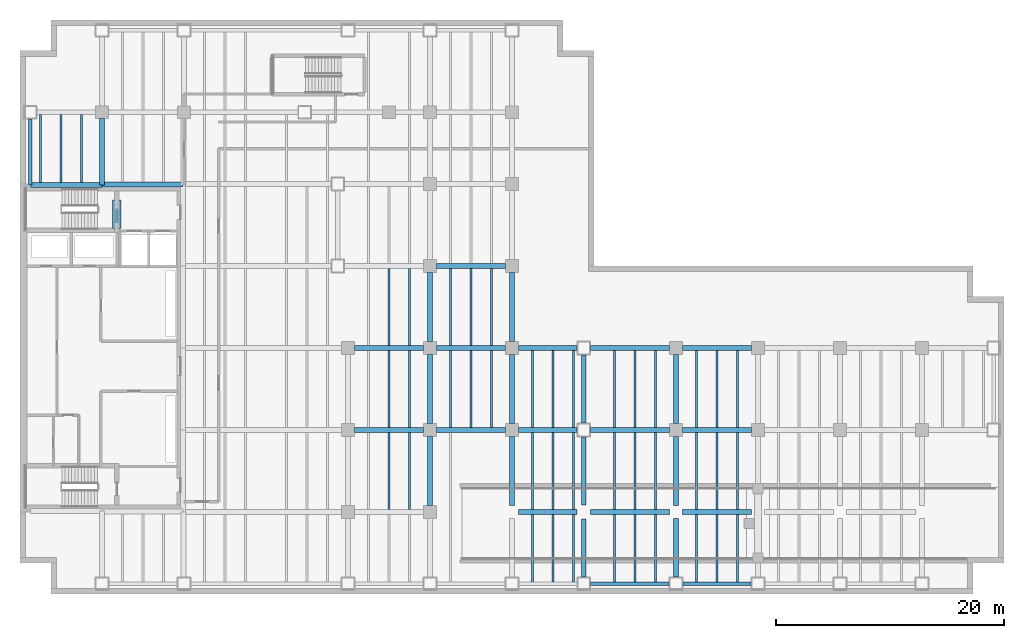
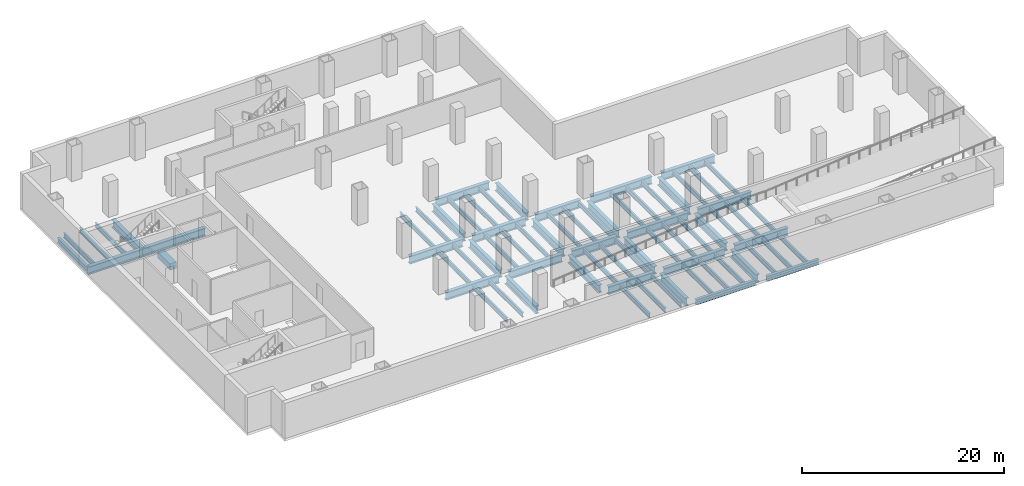
# One storey, part 2 of 11: 75 beams.
"""IFC4 building model written with IfcOpenShell, lengths in metres."""

from ifc_helpers import new_model, si_unit, direction, frame, origin, origin_2d, place, context, subcontext, project, spatial, rectangle, i_section, extrude, material, material_profile, profile_set, type_object, element, save


model = new_model("IFC4")

# Units and contexts
model_context = context("Model", 3, precision=1e-05, world=origin(), true_north=direction((0.0, 1.0)))
body_context = subcontext(model_context, "Body", "Model", "MODEL_VIEW")
ifc_project = project(units=[si_unit("LENGTHUNIT", "METRE"), si_unit("AREAUNIT", "SQUARE_METRE"), si_unit("VOLUMEUNIT", "CUBIC_METRE"), si_unit("PLANEANGLEUNIT", "RADIAN"), si_unit("MASSUNIT", "GRAM", prefix="KILO")], contexts=[model_context])

# Site, building, storey
site_placement = place(None, origin())
site = spatial("IfcSite", under=ifc_project, at=site_placement, CompositionType="ELEMENT")
building_placement = place(site_placement, origin())
building = spatial("IfcBuilding", under=site, at=building_placement, Name="Cobrela Telecom Tower", CompositionType="ELEMENT")
storey_placement = place(building_placement, frame((0.0, 0.0, -4.550048828125)))
storey = spatial("IfcBuildingStorey", under=building, at=storey_placement, Name="B1", CompositionType="ELEMENT", Elevation=-4.550048828125)

# Beams
ifc_material_1 = material(Name="Concrete C40/50", Category="concrete")
ifc_material_profile_1 = material_profile(ifc_material_1, rectangle(XDim=0.75, YDim=0.75, at=origin_2d()), Name="RC 750x750")
ifc_profile_set_1 = profile_set([ifc_material_profile_1], Name="Concrete C40/50")
beam_type_1 = type_object("IfcBeamType", Name="BM-COUP-RC", PredefinedType="LINTEL", material=ifc_profile_set_1)
beam_1_placement = place(storey_placement, frame((8.5, 32.10009765625, -0.64990234375), z_axis=(0.0, 1.0, 0.0), x_axis=(-1.0, 0.0, 0.0)))
element("IfcBeam", 1, at=beam_1_placement, inside=storey, type_object=beam_type_1, Name="B1 Core Coupling Lintel Beam", PredefinedType="LINTEL", context=body_context, shape_type="SweptSolid", body=[
    extrude(rectangle(XDim=0.75, YDim=0.75, at=origin_2d()), origin(), (0.0, 0.0, 1.0), 2.5),
])
ifc_material_2 = material(Name="Steel ASTM A992 Grade 50", Category="steel")
ifc_material_profile_2 = material_profile(ifc_material_2, i_section(OverallWidth=0.424072265625, OverallDepth=0.947021484375, WebThickness=0.02392578125, FlangeThickness=0.042724609375, FilletRadius=0.02392578125, at=origin_2d()), Name="W36X302")
ifc_profile_set_2 = profile_set([ifc_material_profile_2], Name="Steel ASTM A992 Grade 50")
beam_type_2 = type_object("IfcBeamType", Name="BM-GIRD-01", PredefinedType="USERDEFINED", material=ifc_profile_set_2)
beam_2_placement = place(storey_placement, frame((43.7548828125, 7.199951171875, -0.7734375), z_axis=(1.0, 0.0, 0.0), x_axis=(0.0, 1.0, 0.0)))
element("IfcBeam", 2, at=beam_2_placement, inside=storey, type_object=beam_type_2, Name="B1 Primary Girder X14", ObjectType="GIRDER", PredefinedType="USERDEFINED", context=body_context, shape_type="SweptSolid", body=[
    extrude(i_section(OverallWidth=0.424072265625, OverallDepth=0.947021484375, WebThickness=0.02392578125, FlangeThickness=0.042724609375, FilletRadius=0.02392578125, at=origin_2d()), origin(), (0.0, 0.0, 1.0), 5.14013671875),
])
beam_3_placement = place(storey_placement, frame((50.10498046875, 7.199951171875, -0.7734375), z_axis=(1.0, 0.0, 0.0), x_axis=(0.0, 1.0, 0.0)))
element("IfcBeam", 3, at=beam_3_placement, inside=storey, type_object=beam_type_2, Name="B1 Primary Girder X15", ObjectType="GIRDER", PredefinedType="USERDEFINED", context=body_context, shape_type="SweptSolid", body=[
    extrude(i_section(OverallWidth=0.424072265625, OverallDepth=0.947021484375, WebThickness=0.02392578125, FlangeThickness=0.042724609375, FilletRadius=0.02392578125, at=origin_2d()), origin(), (0.0, 0.0, 1.0), 6.93994140625),
])
for number, where, z_axis, x_axis, name in (
    (4, (58.155029296875, 7.199951171875, -0.7734375), (1.0, 0.0, 0.0), (0.0, 1.0, 0.0), "B1 Primary Girder X16"),
    (5, (29.35498046875, 14.39990234375, -0.7734375), (1.0, 0.0, 0.0), (0.0, 1.0, 0.0), "B1 Primary Girder X20"),
    (6, (36.554931640625, 14.39990234375, -0.7734375), (1.0, 0.0, 0.0), (0.0, 1.0, 0.0), "B1 Primary Girder X21"),
):
    element("IfcBeam", number, at=place(storey_placement, frame(where, z_axis=z_axis, x_axis=x_axis)), inside=storey, type_object=beam_type_2, Name=name, ObjectType="GIRDER", PredefinedType="USERDEFINED", context=body_context, shape_type="SweptSolid", body=[
        extrude(i_section(OverallWidth=0.424072265625, OverallDepth=0.947021484375, WebThickness=0.02392578125, FlangeThickness=0.042724609375, FilletRadius=0.02392578125, at=origin_2d()), origin(), (0.0, 0.0, 1.0), 6.090087890625),
    ])
beam_4_placement = place(storey_placement, frame((43.7548828125, 14.39990234375, -0.7734375), z_axis=(1.0, 0.0, 0.0), x_axis=(0.0, 1.0, 0.0)))
element("IfcBeam", 7, at=beam_4_placement, inside=storey, type_object=beam_type_2, Name="B1 Primary Girder X22", ObjectType="GIRDER", PredefinedType="USERDEFINED", context=body_context, shape_type="SweptSolid", body=[
    extrude(i_section(OverallWidth=0.424072265625, OverallDepth=0.947021484375, WebThickness=0.02392578125, FlangeThickness=0.042724609375, FilletRadius=0.02392578125, at=origin_2d()), origin(), (0.0, 0.0, 1.0), 5.14013671875),
])
beam_5_placement = place(storey_placement, frame((50.10498046875, 14.39990234375, -0.7734375), z_axis=(1.0, 0.0, 0.0), x_axis=(0.0, 1.0, 0.0)))
element("IfcBeam", 8, at=beam_5_placement, inside=storey, type_object=beam_type_2, Name="B1 Primary Girder X23", ObjectType="GIRDER", PredefinedType="USERDEFINED", context=body_context, shape_type="SweptSolid", body=[
    extrude(i_section(OverallWidth=0.424072265625, OverallDepth=0.947021484375, WebThickness=0.02392578125, FlangeThickness=0.042724609375, FilletRadius=0.02392578125, at=origin_2d()), origin(), (0.0, 0.0, 1.0), 6.93994140625),
])
for number, where, z_axis, x_axis, name in (
    (9, (58.155029296875, 14.39990234375, -0.7734375), (1.0, 0.0, 0.0), (0.0, 1.0, 0.0), "B1 Primary Girder X24"),
    (10, (29.35498046875, 21.60009765625, -0.7734375), (1.0, 0.0, 0.0), (0.0, 1.0, 0.0), "B1 Primary Girder X29"),
    (11, (36.554931640625, 21.60009765625, -0.7734375), (1.0, 0.0, 0.0), (0.0, 1.0, 0.0), "B1 Primary Girder X30"),
):
    element("IfcBeam", number, at=place(storey_placement, frame(where, z_axis=z_axis, x_axis=x_axis)), inside=storey, type_object=beam_type_2, Name=name, ObjectType="GIRDER", PredefinedType="USERDEFINED", context=body_context, shape_type="SweptSolid", body=[
        extrude(i_section(OverallWidth=0.424072265625, OverallDepth=0.947021484375, WebThickness=0.02392578125, FlangeThickness=0.042724609375, FilletRadius=0.02392578125, at=origin_2d()), origin(), (0.0, 0.0, 1.0), 6.090087890625),
    ])
beam_6_placement = place(storey_placement, frame((43.7548828125, 21.60009765625, -0.7734375), z_axis=(1.0, 0.0, 0.0), x_axis=(0.0, 1.0, 0.0)))
element("IfcBeam", 12, at=beam_6_placement, inside=storey, type_object=beam_type_2, Name="B1 Primary Girder X31", ObjectType="GIRDER", PredefinedType="USERDEFINED", context=body_context, shape_type="SweptSolid", body=[
    extrude(i_section(OverallWidth=0.424072265625, OverallDepth=0.947021484375, WebThickness=0.02392578125, FlangeThickness=0.042724609375, FilletRadius=0.02392578125, at=origin_2d()), origin(), (0.0, 0.0, 1.0), 5.14013671875),
])
beam_7_placement = place(storey_placement, frame((50.10498046875, 21.60009765625, -0.7734375), z_axis=(1.0, 0.0, 0.0), x_axis=(0.0, 1.0, 0.0)))
element("IfcBeam", 13, at=beam_7_placement, inside=storey, type_object=beam_type_2, Name="B1 Primary Girder X32", ObjectType="GIRDER", PredefinedType="USERDEFINED", context=body_context, shape_type="SweptSolid", body=[
    extrude(i_section(OverallWidth=0.424072265625, OverallDepth=0.947021484375, WebThickness=0.02392578125, FlangeThickness=0.042724609375, FilletRadius=0.02392578125, at=origin_2d()), origin(), (0.0, 0.0, 1.0), 6.93994140625),
])
for number, where, z_axis, x_axis, name in (
    (14, (58.155029296875, 21.60009765625, -0.7734375), (1.0, 0.0, 0.0), (0.0, 1.0, 0.0), "B1 Primary Girder X33"),
    (15, (36.554931640625, 28.800048828125, -0.7734375), (1.0, 0.0, 0.0), (0.0, 1.0, 0.0), "B1 Primary Girder X39"),
):
    element("IfcBeam", number, at=place(storey_placement, frame(where, z_axis=z_axis, x_axis=x_axis)), inside=storey, type_object=beam_type_2, Name=name, ObjectType="GIRDER", PredefinedType="USERDEFINED", context=body_context, shape_type="SweptSolid", body=[
        extrude(i_section(OverallWidth=0.424072265625, OverallDepth=0.947021484375, WebThickness=0.02392578125, FlangeThickness=0.042724609375, FilletRadius=0.02392578125, at=origin_2d()), origin(), (0.0, 0.0, 1.0), 6.090087890625),
    ])
beam_8_placement = place(storey_placement, frame((0.905029296875, 35.919921875, -0.7734375), z_axis=(1.0, 0.0, 0.0), x_axis=(0.0, 1.0, 0.0)))
element("IfcBeam", 16, at=beam_8_placement, inside=storey, type_object=beam_type_2, Name="B1 Primary Girder X40", ObjectType="GIRDER", PredefinedType="USERDEFINED", context=body_context, shape_type="SweptSolid", body=[
    extrude(i_section(OverallWidth=0.424072265625, OverallDepth=0.947021484375, WebThickness=0.02392578125, FlangeThickness=0.042724609375, FilletRadius=0.02392578125, at=origin_2d()), origin(), (0.0, 0.0, 1.0), 6.2900390625),
])
beam_9_placement = place(storey_placement, frame((7.205078125, 35.9599609375, -0.7734375), z_axis=(1.0, 0.0, 0.0), x_axis=(0.0, 1.0, 0.0)))
element("IfcBeam", 17, at=beam_9_placement, inside=storey, type_object=beam_type_2, Name="B1 Primary Girder X41", ObjectType="GIRDER", PredefinedType="USERDEFINED", context=body_context, shape_type="SweptSolid", body=[
    extrude(i_section(OverallWidth=0.424072265625, OverallDepth=0.947021484375, WebThickness=0.02392578125, FlangeThickness=0.042724609375, FilletRadius=0.02392578125, at=origin_2d()), origin(), (0.0, 0.0, 1.0), 7.10986328125),
])
beam_10_placement = place(storey_placement, frame((7.199951171875, 35.925048828125, -0.7734375), z_axis=(0.0, 1.0, 0.0), x_axis=(-1.0, 0.0, 0.0)))
element("IfcBeam", 18, at=beam_10_placement, inside=storey, type_object=beam_type_2, Name="B1 Primary Girder Y57", ObjectType="GIRDER", PredefinedType="USERDEFINED", context=body_context, shape_type="SweptSolid", body=[
    extrude(i_section(OverallWidth=0.424072265625, OverallDepth=0.947021484375, WebThickness=0.02392578125, FlangeThickness=0.042724609375, FilletRadius=0.02392578125, at=origin_2d()), origin(), (0.0, 0.0, 1.0), 5.820068359375),
])
beam_11_placement = place(storey_placement, frame((36.0, 7.7548828125, -0.7734375), z_axis=(0.0, 1.0, 0.0), x_axis=(-1.0, 0.0, 0.0)))
element("IfcBeam", 19, at=beam_11_placement, inside=storey, type_object=beam_type_2, Name="B1 Primary Girder Y71", ObjectType="GIRDER", PredefinedType="USERDEFINED", context=body_context, shape_type="SweptSolid", body=[
    extrude(i_section(OverallWidth=0.424072265625, OverallDepth=0.947021484375, WebThickness=0.02392578125, FlangeThickness=0.042724609375, FilletRadius=0.02392578125, at=origin_2d()), origin(), (0.0, 0.0, 1.0), 6.090087890625),
])
beam_12_placement = place(storey_placement, frame((36.0, 14.955078125, -0.7734375), z_axis=(0.0, 1.0, 0.0), x_axis=(-1.0, 0.0, 0.0)))
element("IfcBeam", 20, at=beam_12_placement, inside=storey, type_object=beam_type_2, Name="B1 Primary Girder Y72", ObjectType="GIRDER", PredefinedType="USERDEFINED", context=body_context, shape_type="SweptSolid", body=[
    extrude(i_section(OverallWidth=0.424072265625, OverallDepth=0.947021484375, WebThickness=0.02392578125, FlangeThickness=0.042724609375, FilletRadius=0.02392578125, at=origin_2d()), origin(), (0.0, 0.0, 1.0), 6.08984375),
])
for number, where, z_axis, x_axis, name in (
    (21, (36.0, 22.155029296875, -0.7734375), (0.0, 1.0, 0.0), (-1.0, 0.0, 0.0), "B1 Primary Girder Y73"),
    (22, (43.199951171875, 7.7548828125, -0.7734375), (0.0, 1.0, 0.0), (-1.0, 0.0, 0.0), "B1 Primary Girder Y78"),
):
    element("IfcBeam", number, at=place(storey_placement, frame(where, z_axis=z_axis, x_axis=x_axis)), inside=storey, type_object=beam_type_2, Name=name, ObjectType="GIRDER", PredefinedType="USERDEFINED", context=body_context, shape_type="SweptSolid", body=[
        extrude(i_section(OverallWidth=0.424072265625, OverallDepth=0.947021484375, WebThickness=0.02392578125, FlangeThickness=0.042724609375, FilletRadius=0.02392578125, at=origin_2d()), origin(), (0.0, 0.0, 1.0), 6.090087890625),
    ])
beam_13_placement = place(storey_placement, frame((43.199951171875, 14.955078125, -0.7734375), z_axis=(0.0, 1.0, 0.0), x_axis=(-1.0, 0.0, 0.0)))
element("IfcBeam", 23, at=beam_13_placement, inside=storey, type_object=beam_type_2, Name="B1 Primary Girder Y79", ObjectType="GIRDER", PredefinedType="USERDEFINED", context=body_context, shape_type="SweptSolid", body=[
    extrude(i_section(OverallWidth=0.424072265625, OverallDepth=0.947021484375, WebThickness=0.02392578125, FlangeThickness=0.042724609375, FilletRadius=0.02392578125, at=origin_2d()), origin(), (0.0, 0.0, 1.0), 6.08984375),
])
beam_14_placement = place(storey_placement, frame((43.199951171875, 22.155029296875, -0.7734375), z_axis=(0.0, 1.0, 0.0), x_axis=(-1.0, 0.0, 0.0)))
element("IfcBeam", 24, at=beam_14_placement, inside=storey, type_object=beam_type_2, Name="B1 Primary Girder Y80", ObjectType="GIRDER", PredefinedType="USERDEFINED", context=body_context, shape_type="SweptSolid", body=[
    extrude(i_section(OverallWidth=0.424072265625, OverallDepth=0.947021484375, WebThickness=0.02392578125, FlangeThickness=0.042724609375, FilletRadius=0.02392578125, at=origin_2d()), origin(), (0.0, 0.0, 1.0), 6.090087890625),
])
beam_15_placement = place(storey_placement, frame((49.5, 1.5048828125, -0.7734375), z_axis=(0.0, 1.0, 0.0), x_axis=(-1.0, 0.0, 0.0)))
element("IfcBeam", 25, at=beam_15_placement, inside=storey, type_object=beam_type_2, Name="B1 Primary Girder Y84", ObjectType="GIRDER", PredefinedType="USERDEFINED", context=body_context, shape_type="SweptSolid", body=[
    extrude(i_section(OverallWidth=0.424072265625, OverallDepth=0.947021484375, WebThickness=0.02392578125, FlangeThickness=0.042724609375, FilletRadius=0.02392578125, at=origin_2d()), origin(), (0.0, 0.0, 1.0), 5.090087890625),
])
beam_16_placement = place(storey_placement, frame((49.5, 7.804931640625, -0.7734375), z_axis=(0.0, 1.0, 0.0), x_axis=(-1.0, 0.0, 0.0)))
element("IfcBeam", 26, at=beam_16_placement, inside=storey, type_object=beam_type_2, Name="B1 Primary Girder Y85", ObjectType="GIRDER", PredefinedType="USERDEFINED", context=body_context, shape_type="SweptSolid", body=[
    extrude(i_section(OverallWidth=0.424072265625, OverallDepth=0.947021484375, WebThickness=0.02392578125, FlangeThickness=0.042724609375, FilletRadius=0.02392578125, at=origin_2d()), origin(), (0.0, 0.0, 1.0), 5.989990234375),
])
beam_17_placement = place(storey_placement, frame((49.5, 15.0048828125, -0.7734375), z_axis=(0.0, 1.0, 0.0), x_axis=(-1.0, 0.0, 0.0)))
element("IfcBeam", 27, at=beam_17_placement, inside=storey, type_object=beam_type_2, Name="B1 Primary Girder Y86", ObjectType="GIRDER", PredefinedType="USERDEFINED", context=body_context, shape_type="SweptSolid", body=[
    extrude(i_section(OverallWidth=0.424072265625, OverallDepth=0.947021484375, WebThickness=0.02392578125, FlangeThickness=0.042724609375, FilletRadius=0.02392578125, at=origin_2d()), origin(), (0.0, 0.0, 1.0), 5.990234375),
])
beam_18_placement = place(storey_placement, frame((57.60009765625, 1.5048828125, -0.7734375), z_axis=(0.0, 1.0, 0.0), x_axis=(-1.0, 0.0, 0.0)))
element("IfcBeam", 28, at=beam_18_placement, inside=storey, type_object=beam_type_2, Name="B1 Primary Girder Y87", ObjectType="GIRDER", PredefinedType="USERDEFINED", context=body_context, shape_type="SweptSolid", body=[
    extrude(i_section(OverallWidth=0.424072265625, OverallDepth=0.947021484375, WebThickness=0.02392578125, FlangeThickness=0.042724609375, FilletRadius=0.02392578125, at=origin_2d()), origin(), (0.0, 0.0, 1.0), 5.14013671875),
])
beam_19_placement = place(storey_placement, frame((57.60009765625, 7.7548828125, -0.7734375), z_axis=(0.0, 1.0, 0.0), x_axis=(-1.0, 0.0, 0.0)))
element("IfcBeam", 29, at=beam_19_placement, inside=storey, type_object=beam_type_2, Name="B1 Primary Girder Y88", ObjectType="GIRDER", PredefinedType="USERDEFINED", context=body_context, shape_type="SweptSolid", body=[
    extrude(i_section(OverallWidth=0.424072265625, OverallDepth=0.947021484375, WebThickness=0.02392578125, FlangeThickness=0.042724609375, FilletRadius=0.02392578125, at=origin_2d()), origin(), (0.0, 0.0, 1.0), 6.090087890625),
])
beam_20_placement = place(storey_placement, frame((57.60009765625, 14.955078125, -0.7734375), z_axis=(0.0, 1.0, 0.0), x_axis=(-1.0, 0.0, 0.0)))
element("IfcBeam", 30, at=beam_20_placement, inside=storey, type_object=beam_type_2, Name="B1 Primary Girder Y89", ObjectType="GIRDER", PredefinedType="USERDEFINED", context=body_context, shape_type="SweptSolid", body=[
    extrude(i_section(OverallWidth=0.424072265625, OverallDepth=0.947021484375, WebThickness=0.02392578125, FlangeThickness=0.042724609375, FilletRadius=0.02392578125, at=origin_2d()), origin(), (0.0, 0.0, 1.0), 6.08984375),
])
ifc_material_profile_3 = material_profile(ifc_material_2, i_section(OverallWidth=0.212890625, OverallDepth=0.549072265625, WebThickness=0.0146484375, FlangeThickness=0.023681640625, FilletRadius=0.013916015625, at=origin_2d()), Name="W21X93")
ifc_profile_set_3 = profile_set([ifc_material_profile_3], Name="Steel ASTM A992 Grade 50")
beam_type_3 = type_object("IfcBeamType", Name="BM-JOIST-01", PredefinedType="JOIST", material=ifc_profile_set_3)
for number, where, z_axis, x_axis, name in (
    (31, (1.800048828125, 36.136962890625, -0.574462890625), (0.0, 1.0, 0.0), (-1.0, 0.0, 0.0), "B1 Secondary Composite Floor Beam J01"),
    (32, (3.60009765625, 36.136962890625, -0.574462890625), (0.0, 1.0, 0.0), (-1.0, 0.0, 0.0), "B1 Secondary Composite Floor Beam J02"),
    (33, (5.39990234375, 36.136962890625, -0.574462890625), (0.0, 1.0, 0.0), (-1.0, 0.0, 0.0), "B1 Secondary Composite Floor Beam J03"),
):
    element("IfcBeam", number, at=place(storey_placement, frame(where, z_axis=z_axis, x_axis=x_axis)), inside=storey, type_object=beam_type_3, Name=name, PredefinedType="JOIST", context=body_context, shape_type="SweptSolid", body=[
        extrude(i_section(OverallWidth=0.212890625, OverallDepth=0.549072265625, WebThickness=0.0146484375, FlangeThickness=0.023681640625, FilletRadius=0.013916015625, at=origin_2d()), origin(), (0.0, 0.0, 1.0), 5.946044921875),
    ])
for number, where, z_axis, x_axis, name in (
    (34, (32.39990234375, 7.4169921875, -0.574462890625), (0.0, 1.0, 0.0), (-1.0, 0.0, 0.0), "B1 Secondary Composite Floor Beam J59"),
    (35, (32.39990234375, 14.616943359375, -0.574462890625), (0.0, 1.0, 0.0), (-1.0, 0.0, 0.0), "B1 Secondary Composite Floor Beam J60"),
    (36, (32.39990234375, 21.81689453125, -0.574462890625), (0.0, 1.0, 0.0), (-1.0, 0.0, 0.0), "B1 Secondary Composite Floor Beam J61"),
    (37, (34.199951171875, 7.4169921875, -0.574462890625), (0.0, 1.0, 0.0), (-1.0, 0.0, 0.0), "B1 Secondary Composite Floor Beam J64"),
    (38, (34.199951171875, 14.616943359375, -0.574462890625), (0.0, 1.0, 0.0), (-1.0, 0.0, 0.0), "B1 Secondary Composite Floor Beam J65"),
    (39, (34.199951171875, 21.81689453125, -0.574462890625), (0.0, 1.0, 0.0), (-1.0, 0.0, 0.0), "B1 Secondary Composite Floor Beam J66"),
    (40, (37.800048828125, 14.616943359375, -0.574462890625), (0.0, 1.0, 0.0), (-1.0, 0.0, 0.0), "B1 Secondary Composite Floor Beam J71"),
    (41, (37.800048828125, 21.81689453125, -0.574462890625), (0.0, 1.0, 0.0), (-1.0, 0.0, 0.0), "B1 Secondary Composite Floor Beam J72"),
    (42, (39.60009765625, 14.616943359375, -0.574462890625), (0.0, 1.0, 0.0), (-1.0, 0.0, 0.0), "B1 Secondary Composite Floor Beam J76"),
    (43, (39.60009765625, 21.81689453125, -0.574462890625), (0.0, 1.0, 0.0), (-1.0, 0.0, 0.0), "B1 Secondary Composite Floor Beam J77"),
    (44, (41.39990234375, 14.616943359375, -0.574462890625), (0.0, 1.0, 0.0), (-1.0, 0.0, 0.0), "B1 Secondary Composite Floor Beam J81"),
    (45, (41.39990234375, 21.81689453125, -0.574462890625), (0.0, 1.0, 0.0), (-1.0, 0.0, 0.0), "B1 Secondary Composite Floor Beam J82"),
):
    element("IfcBeam", number, at=place(storey_placement, frame(where, z_axis=z_axis, x_axis=x_axis)), inside=storey, type_object=beam_type_3, Name=name, PredefinedType="JOIST", context=body_context, shape_type="SweptSolid", body=[
        extrude(i_section(OverallWidth=0.212890625, OverallDepth=0.549072265625, WebThickness=0.0146484375, FlangeThickness=0.023681640625, FilletRadius=0.013916015625, at=origin_2d()), origin(), (0.0, 0.0, 1.0), 6.76611328125),
    ])
beam_21_placement = place(storey_placement, frame((45.0, 1.069091796875, -0.574462890625), z_axis=(0.0, 1.0, 0.0), x_axis=(-1.0, 0.0, 0.0)))
element("IfcBeam", 46, at=beam_21_placement, inside=storey, type_object=beam_type_3, Name="B1 Secondary Composite Floor Beam J86", PredefinedType="JOIST", context=body_context, shape_type="SweptSolid", body=[
    extrude(i_section(OverallWidth=0.212890625, OverallDepth=0.549072265625, WebThickness=0.0146484375, FlangeThickness=0.023681640625, FilletRadius=0.013916015625, at=origin_2d()), origin(), (0.0, 0.0, 1.0), 5.913818359375),
])
for number, where, z_axis, x_axis, name in (
    (47, (45.0, 7.4169921875, -0.574462890625), (0.0, 1.0, 0.0), (-1.0, 0.0, 0.0), "B1 Secondary Composite Floor Beam J87"),
    (48, (45.0, 14.616943359375, -0.574462890625), (0.0, 1.0, 0.0), (-1.0, 0.0, 0.0), "B1 Secondary Composite Floor Beam J88"),
):
    element("IfcBeam", number, at=place(storey_placement, frame(where, z_axis=z_axis, x_axis=x_axis)), inside=storey, type_object=beam_type_3, Name=name, PredefinedType="JOIST", context=body_context, shape_type="SweptSolid", body=[
        extrude(i_section(OverallWidth=0.212890625, OverallDepth=0.549072265625, WebThickness=0.0146484375, FlangeThickness=0.023681640625, FilletRadius=0.013916015625, at=origin_2d()), origin(), (0.0, 0.0, 1.0), 6.76611328125),
    ])
beam_22_placement = place(storey_placement, frame((46.800048828125, 1.069091796875, -0.574462890625), z_axis=(0.0, 1.0, 0.0), x_axis=(-1.0, 0.0, 0.0)))
element("IfcBeam", 49, at=beam_22_placement, inside=storey, type_object=beam_type_3, Name="B1 Secondary Composite Floor Beam J89", PredefinedType="JOIST", context=body_context, shape_type="SweptSolid", body=[
    extrude(i_section(OverallWidth=0.212890625, OverallDepth=0.549072265625, WebThickness=0.0146484375, FlangeThickness=0.023681640625, FilletRadius=0.013916015625, at=origin_2d()), origin(), (0.0, 0.0, 1.0), 5.913818359375),
])
for number, where, z_axis, x_axis, name in (
    (50, (46.800048828125, 7.4169921875, -0.574462890625), (0.0, 1.0, 0.0), (-1.0, 0.0, 0.0), "B1 Secondary Composite Floor Beam J90"),
    (51, (46.800048828125, 14.616943359375, -0.574462890625), (0.0, 1.0, 0.0), (-1.0, 0.0, 0.0), "B1 Secondary Composite Floor Beam J91"),
):
    element("IfcBeam", number, at=place(storey_placement, frame(where, z_axis=z_axis, x_axis=x_axis)), inside=storey, type_object=beam_type_3, Name=name, PredefinedType="JOIST", context=body_context, shape_type="SweptSolid", body=[
        extrude(i_section(OverallWidth=0.212890625, OverallDepth=0.549072265625, WebThickness=0.0146484375, FlangeThickness=0.023681640625, FilletRadius=0.013916015625, at=origin_2d()), origin(), (0.0, 0.0, 1.0), 6.76611328125),
    ])
beam_23_placement = place(storey_placement, frame((48.60009765625, 1.069091796875, -0.574462890625), z_axis=(0.0, 1.0, 0.0), x_axis=(-1.0, 0.0, 0.0)))
element("IfcBeam", 52, at=beam_23_placement, inside=storey, type_object=beam_type_3, Name="B1 Secondary Composite Floor Beam J92", PredefinedType="JOIST", context=body_context, shape_type="SweptSolid", body=[
    extrude(i_section(OverallWidth=0.212890625, OverallDepth=0.549072265625, WebThickness=0.0146484375, FlangeThickness=0.023681640625, FilletRadius=0.013916015625, at=origin_2d()), origin(), (0.0, 0.0, 1.0), 5.913818359375),
])
for number, where, z_axis, x_axis, name in (
    (53, (48.60009765625, 7.4169921875, -0.574462890625), (0.0, 1.0, 0.0), (-1.0, 0.0, 0.0), "B1 Secondary Composite Floor Beam J93"),
    (54, (48.60009765625, 14.616943359375, -0.574462890625), (0.0, 1.0, 0.0), (-1.0, 0.0, 0.0), "B1 Secondary Composite Floor Beam J94"),
):
    element("IfcBeam", number, at=place(storey_placement, frame(where, z_axis=z_axis, x_axis=x_axis)), inside=storey, type_object=beam_type_3, Name=name, PredefinedType="JOIST", context=body_context, shape_type="SweptSolid", body=[
        extrude(i_section(OverallWidth=0.212890625, OverallDepth=0.549072265625, WebThickness=0.0146484375, FlangeThickness=0.023681640625, FilletRadius=0.013916015625, at=origin_2d()), origin(), (0.0, 0.0, 1.0), 6.76611328125),
    ])
beam_24_placement = place(storey_placement, frame((52.199951171875, 1.069091796875, -0.574462890625), z_axis=(0.0, 1.0, 0.0), x_axis=(-1.0, 0.0, 0.0)))
element("IfcBeam", 55, at=beam_24_placement, inside=storey, type_object=beam_type_3, Name="B1 Secondary Composite Floor Beam J95", PredefinedType="JOIST", context=body_context, shape_type="SweptSolid", body=[
    extrude(i_section(OverallWidth=0.212890625, OverallDepth=0.549072265625, WebThickness=0.0146484375, FlangeThickness=0.023681640625, FilletRadius=0.013916015625, at=origin_2d()), origin(), (0.0, 0.0, 1.0), 5.913818359375),
])
for number, where, z_axis, x_axis, name in (
    (56, (52.199951171875, 7.4169921875, -0.574462890625), (0.0, 1.0, 0.0), (-1.0, 0.0, 0.0), "B1 Secondary Composite Floor Beam J96"),
    (57, (52.199951171875, 14.616943359375, -0.574462890625), (0.0, 1.0, 0.0), (-1.0, 0.0, 0.0), "B1 Secondary Composite Floor Beam J97"),
):
    element("IfcBeam", number, at=place(storey_placement, frame(where, z_axis=z_axis, x_axis=x_axis)), inside=storey, type_object=beam_type_3, Name=name, PredefinedType="JOIST", context=body_context, shape_type="SweptSolid", body=[
        extrude(i_section(OverallWidth=0.212890625, OverallDepth=0.549072265625, WebThickness=0.0146484375, FlangeThickness=0.023681640625, FilletRadius=0.013916015625, at=origin_2d()), origin(), (0.0, 0.0, 1.0), 6.76611328125),
    ])
beam_25_placement = place(storey_placement, frame((54.0, 1.069091796875, -0.574462890625), z_axis=(0.0, 1.0, 0.0), x_axis=(-1.0, 0.0, 0.0)))
element("IfcBeam", 58, at=beam_25_placement, inside=storey, type_object=beam_type_3, Name="B1 Secondary Composite Floor Beam J98", PredefinedType="JOIST", context=body_context, shape_type="SweptSolid", body=[
    extrude(i_section(OverallWidth=0.212890625, OverallDepth=0.549072265625, WebThickness=0.0146484375, FlangeThickness=0.023681640625, FilletRadius=0.013916015625, at=origin_2d()), origin(), (0.0, 0.0, 1.0), 5.913818359375),
])
for number, where, z_axis, x_axis, name in (
    (59, (54.0, 7.4169921875, -0.574462890625), (0.0, 1.0, 0.0), (-1.0, 0.0, 0.0), "B1 Secondary Composite Floor Beam J99"),
    (60, (54.0, 14.616943359375, -0.574462890625), (0.0, 1.0, 0.0), (-1.0, 0.0, 0.0), "B1 Secondary Composite Floor Beam J100"),
):
    element("IfcBeam", number, at=place(storey_placement, frame(where, z_axis=z_axis, x_axis=x_axis)), inside=storey, type_object=beam_type_3, Name=name, PredefinedType="JOIST", context=body_context, shape_type="SweptSolid", body=[
        extrude(i_section(OverallWidth=0.212890625, OverallDepth=0.549072265625, WebThickness=0.0146484375, FlangeThickness=0.023681640625, FilletRadius=0.013916015625, at=origin_2d()), origin(), (0.0, 0.0, 1.0), 6.76611328125),
    ])
beam_26_placement = place(storey_placement, frame((55.800048828125, 1.069091796875, -0.574462890625), z_axis=(0.0, 1.0, 0.0), x_axis=(-1.0, 0.0, 0.0)))
element("IfcBeam", 61, at=beam_26_placement, inside=storey, type_object=beam_type_3, Name="B1 Secondary Composite Floor Beam J101", PredefinedType="JOIST", context=body_context, shape_type="SweptSolid", body=[
    extrude(i_section(OverallWidth=0.212890625, OverallDepth=0.549072265625, WebThickness=0.0146484375, FlangeThickness=0.023681640625, FilletRadius=0.013916015625, at=origin_2d()), origin(), (0.0, 0.0, 1.0), 5.913818359375),
])
for number, where, z_axis, x_axis, name in (
    (62, (55.800048828125, 7.4169921875, -0.574462890625), (0.0, 1.0, 0.0), (-1.0, 0.0, 0.0), "B1 Secondary Composite Floor Beam J102"),
    (63, (55.800048828125, 14.616943359375, -0.574462890625), (0.0, 1.0, 0.0), (-1.0, 0.0, 0.0), "B1 Secondary Composite Floor Beam J103"),
):
    element("IfcBeam", number, at=place(storey_placement, frame(where, z_axis=z_axis, x_axis=x_axis)), inside=storey, type_object=beam_type_3, Name=name, PredefinedType="JOIST", context=body_context, shape_type="SweptSolid", body=[
        extrude(i_section(OverallWidth=0.212890625, OverallDepth=0.549072265625, WebThickness=0.0146484375, FlangeThickness=0.023681640625, FilletRadius=0.013916015625, at=origin_2d()), origin(), (0.0, 0.0, 1.0), 6.76611328125),
    ])
beam_27_placement = place(storey_placement, frame((59.39990234375, 1.069091796875, -0.574462890625), z_axis=(0.0, 1.0, 0.0), x_axis=(-1.0, 0.0, 0.0)))
element("IfcBeam", 64, at=beam_27_placement, inside=storey, type_object=beam_type_3, Name="B1 Secondary Composite Floor Beam J104", PredefinedType="JOIST", context=body_context, shape_type="SweptSolid", body=[
    extrude(i_section(OverallWidth=0.212890625, OverallDepth=0.549072265625, WebThickness=0.0146484375, FlangeThickness=0.023681640625, FilletRadius=0.013916015625, at=origin_2d()), origin(), (0.0, 0.0, 1.0), 5.913818359375),
])
for number, where, z_axis, x_axis, name in (
    (65, (59.39990234375, 7.4169921875, -0.574462890625), (0.0, 1.0, 0.0), (-1.0, 0.0, 0.0), "B1 Secondary Composite Floor Beam J105"),
    (66, (59.39990234375, 14.616943359375, -0.574462890625), (0.0, 1.0, 0.0), (-1.0, 0.0, 0.0), "B1 Secondary Composite Floor Beam J106"),
):
    element("IfcBeam", number, at=place(storey_placement, frame(where, z_axis=z_axis, x_axis=x_axis)), inside=storey, type_object=beam_type_3, Name=name, PredefinedType="JOIST", context=body_context, shape_type="SweptSolid", body=[
        extrude(i_section(OverallWidth=0.212890625, OverallDepth=0.549072265625, WebThickness=0.0146484375, FlangeThickness=0.023681640625, FilletRadius=0.013916015625, at=origin_2d()), origin(), (0.0, 0.0, 1.0), 6.76611328125),
    ])
beam_28_placement = place(storey_placement, frame((61.199951171875, 1.069091796875, -0.574462890625), z_axis=(0.0, 1.0, 0.0), x_axis=(-1.0, 0.0, 0.0)))
element("IfcBeam", 67, at=beam_28_placement, inside=storey, type_object=beam_type_3, Name="B1 Secondary Composite Floor Beam J107", PredefinedType="JOIST", context=body_context, shape_type="SweptSolid", body=[
    extrude(i_section(OverallWidth=0.212890625, OverallDepth=0.549072265625, WebThickness=0.0146484375, FlangeThickness=0.023681640625, FilletRadius=0.013916015625, at=origin_2d()), origin(), (0.0, 0.0, 1.0), 5.913818359375),
])
for number, where, z_axis, x_axis, name in (
    (68, (61.199951171875, 7.4169921875, -0.574462890625), (0.0, 1.0, 0.0), (-1.0, 0.0, 0.0), "B1 Secondary Composite Floor Beam J108"),
    (69, (61.199951171875, 14.616943359375, -0.574462890625), (0.0, 1.0, 0.0), (-1.0, 0.0, 0.0), "B1 Secondary Composite Floor Beam J109"),
):
    element("IfcBeam", number, at=place(storey_placement, frame(where, z_axis=z_axis, x_axis=x_axis)), inside=storey, type_object=beam_type_3, Name=name, PredefinedType="JOIST", context=body_context, shape_type="SweptSolid", body=[
        extrude(i_section(OverallWidth=0.212890625, OverallDepth=0.549072265625, WebThickness=0.0146484375, FlangeThickness=0.023681640625, FilletRadius=0.013916015625, at=origin_2d()), origin(), (0.0, 0.0, 1.0), 6.76611328125),
    ])
beam_29_placement = place(storey_placement, frame((63.0, 1.069091796875, -0.574462890625), z_axis=(0.0, 1.0, 0.0), x_axis=(-1.0, 0.0, 0.0)))
element("IfcBeam", 70, at=beam_29_placement, inside=storey, type_object=beam_type_3, Name="B1 Secondary Composite Floor Beam J110", PredefinedType="JOIST", context=body_context, shape_type="SweptSolid", body=[
    extrude(i_section(OverallWidth=0.212890625, OverallDepth=0.549072265625, WebThickness=0.0146484375, FlangeThickness=0.023681640625, FilletRadius=0.013916015625, at=origin_2d()), origin(), (0.0, 0.0, 1.0), 5.913818359375),
])
for number, where, z_axis, x_axis, name in (
    (71, (63.0, 7.4169921875, -0.574462890625), (0.0, 1.0, 0.0), (-1.0, 0.0, 0.0), "B1 Secondary Composite Floor Beam J111"),
    (72, (63.0, 14.616943359375, -0.574462890625), (0.0, 1.0, 0.0), (-1.0, 0.0, 0.0), "B1 Secondary Composite Floor Beam J112"),
):
    element("IfcBeam", number, at=place(storey_placement, frame(where, z_axis=z_axis, x_axis=x_axis)), inside=storey, type_object=beam_type_3, Name=name, PredefinedType="JOIST", context=body_context, shape_type="SweptSolid", body=[
        extrude(i_section(OverallWidth=0.212890625, OverallDepth=0.549072265625, WebThickness=0.0146484375, FlangeThickness=0.023681640625, FilletRadius=0.013916015625, at=origin_2d()), origin(), (0.0, 0.0, 1.0), 6.76611328125),
    ])
ifc_material_profile_4 = material_profile(ifc_material_2, i_section(OverallWidth=0.327880859375, OverallDepth=0.6220703125, WebThickness=0.015380859375, FlangeThickness=0.0244140625, FilletRadius=0.014892578125, at=origin_2d()), Name="W24X131")
ifc_profile_set_4 = profile_set([ifc_material_profile_4], Name="Steel ASTM A992 Grade 50")
beam_type_4 = type_object("IfcBeamType", Name="BM-SPAND-01", PredefinedType="SPANDREL", material=ifc_profile_set_4)
beam_30_placement = place(storey_placement, frame((50.10498046875, 0.89990234375, -0.61083984375), z_axis=(1.0, 0.0, 0.0), x_axis=(0.0, 1.0, 0.0)))
element("IfcBeam", 73, at=beam_30_placement, inside=storey, type_object=beam_type_4, Name="B1 Perimeter Spandrel X06", PredefinedType="SPANDREL", context=body_context, shape_type="SweptSolid", body=[
    extrude(i_section(OverallWidth=0.327880859375, OverallDepth=0.6220703125, WebThickness=0.015380859375, FlangeThickness=0.0244140625, FilletRadius=0.014892578125, at=origin_2d()), origin(), (0.0, 0.0, 1.0), 6.89013671875),
])
beam_31_placement = place(storey_placement, frame((58.205078125, 0.89990234375, -0.61083984375), z_axis=(1.0, 0.0, 0.0), x_axis=(0.0, 1.0, 0.0)))
element("IfcBeam", 74, at=beam_31_placement, inside=storey, type_object=beam_type_4, Name="B1 Perimeter Spandrel X07", PredefinedType="SPANDREL", context=body_context, shape_type="SweptSolid", body=[
    extrude(i_section(OverallWidth=0.327880859375, OverallDepth=0.6220703125, WebThickness=0.015380859375, FlangeThickness=0.0244140625, FilletRadius=0.014892578125, at=origin_2d()), origin(), (0.0, 0.0, 1.0), 5.989990234375),
])
beam_32_placement = place(storey_placement, frame((0.89990234375, 35.925048828125, -0.61083984375), z_axis=(0.0, 1.0, 0.0), x_axis=(-1.0, 0.0, 0.0)))
element("IfcBeam", 75, at=beam_32_placement, inside=storey, type_object=beam_type_4, Name="B1 Perimeter Spandrel Y55", PredefinedType="SPANDREL", context=body_context, shape_type="SweptSolid", body=[
    extrude(i_section(OverallWidth=0.327880859375, OverallDepth=0.6220703125, WebThickness=0.015380859375, FlangeThickness=0.0244140625, FilletRadius=0.014892578125, at=origin_2d()), origin(), (0.0, 0.0, 1.0), 5.77001953125),
])

save(model, "model.ifc")
